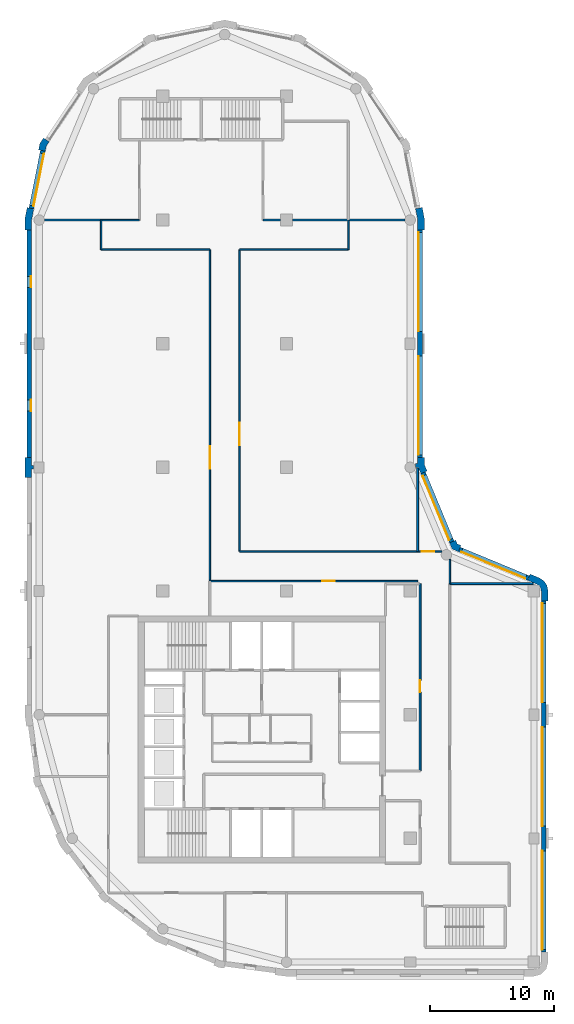
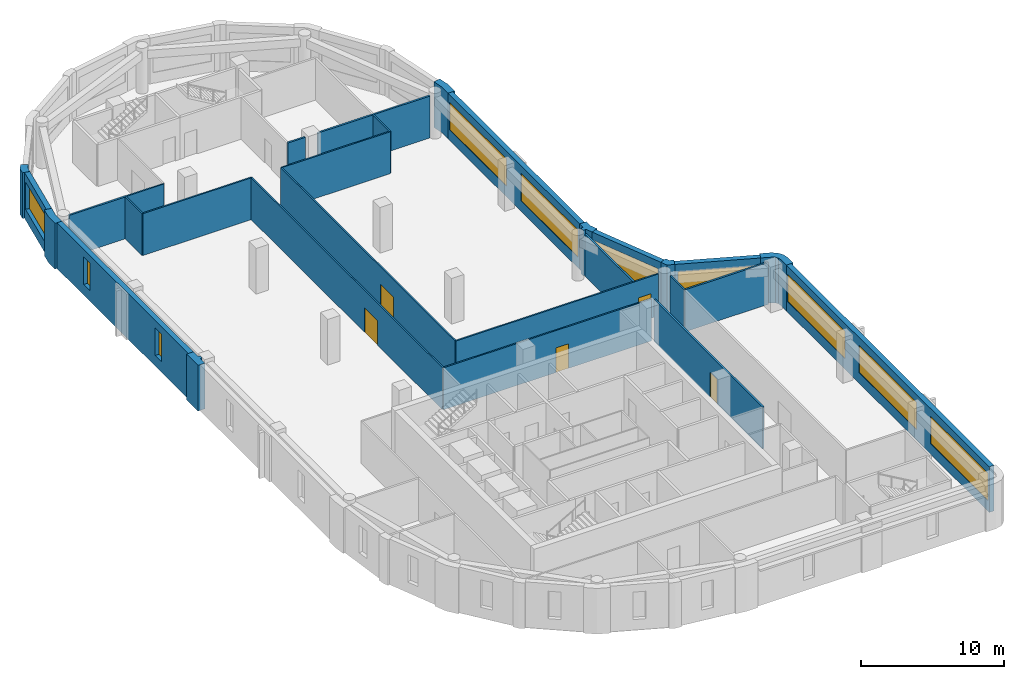
# One storey, part 4 of 8: 29 walls, 10 windows, 5 doors, 15 openings.
"""IFC4 building model written with IfcOpenShell, lengths in metres."""

from ifc_helpers import new_model, si_unit, direction, frame, frame_2d, origin, place, context, subcontext, project, spatial, polyline, rectangle, outline, extrude, material, layer, layer_set, type_object, element, fill, save


model = new_model("IFC4")

# Units and contexts
model_context = context("Model", 3, precision=1e-05, world=origin(), true_north=direction((0.0, 1.0)))
body_context = subcontext(model_context, "Body", "Model", "MODEL_VIEW")
ifc_project = project(units=[si_unit("LENGTHUNIT", "METRE"), si_unit("AREAUNIT", "SQUARE_METRE"), si_unit("VOLUMEUNIT", "CUBIC_METRE"), si_unit("PLANEANGLEUNIT", "RADIAN"), si_unit("MASSUNIT", "GRAM", prefix="KILO")], contexts=[model_context])

# Site, building, storey
site_placement = place(None, origin())
site = spatial("IfcSite", under=ifc_project, at=site_placement, CompositionType="ELEMENT")
building_placement = place(site_placement, origin())
building = spatial("IfcBuilding", under=site, at=building_placement, Name="Qaws Garden Tower", CompositionType="ELEMENT")
storey_placement = place(building_placement, frame((0.0, 0.0, 286.5)))
storey = spatial("IfcBuildingStorey", under=building, at=storey_placement, Name="L69", CompositionType="ELEMENT", Elevation=286.5)

# Wall
ifc_material_1 = material(Name="Clay facing brick masonry", Category="masonry")
ifc_layer_1 = layer(ifc_material_1, 0.550048828125)
ifc_layer_set_1 = layer_set([ifc_layer_1], Name="Clay facing brick masonry")
wall_type_1 = type_object("IfcWallType", Name="Brick corner pier 550 x 2400", PredefinedType="SOLIDWALL", material=ifc_layer_set_1)
placement = place(storey_placement, origin())
element("IfcWall", 1, at=placement, inside=storey, type_object=wall_type_1, Name="E-L69-pier-05", PredefinedType="SOLIDWALL", context=body_context, shape_type="SweptSolid", body=[
    extrude(outline(polyline([(41.0, 29.199951171875), (41.14990234375, 29.199951171875), (41.14990234375, 30.0), (41.0625, 30.440185546875), (40.813232421875, 30.813232421875), (40.440185546875, 31.0625), (39.700927734375, 31.36865234375), (39.6435546875, 31.22998046875), (39.490478515625, 30.860595703125), (40.2294921875, 30.554443359375), (40.42431640625, 30.42431640625), (40.554443359375, 30.2294921875), (40.60009765625, 30.0), (40.60009765625, 29.199951171875), (41.0, 29.199951171875)])), origin(), (0.0, 0.0, 1.0), 3.89990234375),
])

# Wall, openings, windows
ifc_material_2 = material(Name="Clay facing brick masonry", Category="masonry")
ifc_layer_2 = layer(ifc_material_2, 0.39990234375)
ifc_layer_set_2 = layer_set([ifc_layer_2], Name="Clay facing brick masonry")
wall_type_2 = type_object("IfcWallType", Name="Brick infill wall 400", PredefinedType="SOLIDWALL", material=ifc_layer_set_2)
wall_2_placement = place(storey_placement, frame((40.800048828125, 0.800048828125, 0.0), z_axis=(0.0, 0.0, 1.0), x_axis=(0.0, 1.0, 0.0)))
wall_2 = element("IfcWall", 2, at=wall_2_placement, inside=storey, type_object=wall_type_2, Name="E-L69-infill-02", PredefinedType="SOLIDWALL", context=body_context, shape_type="SweptSolid", body=[
    extrude(rectangle(XDim=28.39990234375, YDim=0.39990234375, at=frame_2d((14.199951171875, 0.0))), origin(), (0.0, 0.0, 1.0), 3.89990234375),
])
opening_1_placement = place(wall_2_placement, frame((0.199951171875, 0.0, 0.89990234375)))
opening_1 = element("IfcOpeningElement", 3, at=opening_1_placement, cuts=wall_2, Name="Opening W01", PredefinedType="OPENING", context=body_context, shape_type="SweptSolid", body=[
    extrude(rectangle(XDim=8.0, YDim=2.35009765625, at=frame_2d((4.0, 1.175048828125))), frame((0.0, 0.2099609375, 0.0), z_axis=(0.0, -1.0, 0.0), x_axis=(1.0, 0.0, 0.0)), (0.0, 0.0, 1.0), 0.419921875),
])
opening_2_placement = place(wall_2_placement, frame((10.199951171875, 0.0, 0.89990234375)))
opening_2 = element("IfcOpeningElement", 4, at=opening_2_placement, cuts=wall_2, Name="Opening W01", PredefinedType="OPENING", context=body_context, shape_type="SweptSolid", body=[
    extrude(rectangle(XDim=8.0, YDim=2.35009765625, at=frame_2d((4.0, 1.175048828125))), frame((0.0, 0.2099609375, 0.0), z_axis=(0.0, -1.0, 0.0), x_axis=(1.0, 0.0, 0.0)), (0.0, 0.0, 1.0), 0.419921875),
])
opening_3_placement = place(wall_2_placement, frame((20.199951171875, 0.0, 0.89990234375)))
opening_3 = element("IfcOpeningElement", 5, at=opening_3_placement, cuts=wall_2, Name="Opening W01", PredefinedType="OPENING", context=body_context, shape_type="SweptSolid", body=[
    extrude(rectangle(XDim=8.0, YDim=2.35009765625, at=frame_2d((4.0, 1.175048828125))), frame((0.0, 0.2099609375, 0.0), z_axis=(0.0, -1.0, 0.0), x_axis=(1.0, 0.0, 0.0)), (0.0, 0.0, 1.0), 0.419921875),
])
ifc_material_3 = material(Name="Aluminium framed window, clear glazing", Category="aluminium")
window_type_1 = type_object("IfcWindowType", Name="Ribbon window 8000 x 2350", PartitioningType="DOUBLE_PANEL_VERTICAL", PredefinedType="WINDOW", material=ifc_material_3)
window_1_placement = place(opening_1_placement, origin())
window_1 = element("IfcWindow", 6, at=window_1_placement, inside=storey, type_object=window_type_1, Name="E-L69-window-02-0", OverallHeight=2.35009765625, OverallWidth=8.0, PartitioningType="SINGLE_PANEL", PredefinedType="WINDOW", context=body_context, shape_type="SweptSolid", body=[
    extrude(rectangle(XDim=8.0, YDim=2.35009765625, at=frame_2d((4.0, 1.175048828125))), frame((0.0, 0.159912109375, 0.0), z_axis=(0.0, -1.0, 0.0), x_axis=(1.0, 0.0, 0.0)), (0.0, 0.0, 1.0), 0.06005859375),
])
fill(opening_1, window_1)
window_2_placement = place(opening_2_placement, origin())
window_2 = element("IfcWindow", 7, at=window_2_placement, inside=storey, type_object=window_type_1, Name="E-L69-window-03-0", OverallHeight=2.35009765625, OverallWidth=8.0, PartitioningType="SINGLE_PANEL", PredefinedType="WINDOW", context=body_context, shape_type="SweptSolid", body=[
    extrude(rectangle(XDim=8.0, YDim=2.35009765625, at=frame_2d((4.0, 1.175048828125))), frame((0.0, 0.159912109375, 0.0), z_axis=(0.0, -1.0, 0.0), x_axis=(1.0, 0.0, 0.0)), (0.0, 0.0, 1.0), 0.06005859375),
])
fill(opening_2, window_2)
window_3_placement = place(opening_3_placement, origin())
window_3 = element("IfcWindow", 8, at=window_3_placement, inside=storey, type_object=window_type_1, Name="E-L69-window-04-0", OverallHeight=2.35009765625, OverallWidth=8.0, PartitioningType="SINGLE_PANEL", PredefinedType="WINDOW", context=body_context, shape_type="SweptSolid", body=[
    extrude(rectangle(XDim=8.0, YDim=2.35009765625, at=frame_2d((4.0, 1.175048828125))), frame((0.0, 0.159912109375, 0.0), z_axis=(0.0, -1.0, 0.0), x_axis=(1.0, 0.0, 0.0)), (0.0, 0.0, 1.0), 0.06005859375),
])
fill(opening_3, window_3)

# Wall, opening, window
wall_3_placement = place(storey_placement, frame((39.56689453125, 31.04541015625, 0.0), z_axis=(0.0, 0.0, 1.0), x_axis=(-0.923891000409, 0.382655745237, 0.0)))
wall_3 = element("IfcWall", 9, at=wall_3_placement, inside=storey, type_object=wall_type_2, Name="E-L69-infill-05", PredefinedType="SOLIDWALL", context=body_context, shape_type="SweptSolid", body=[
    extrude(rectangle(XDim=6.053466796875, YDim=0.39990234375, at=frame_2d((3.02685546875, 0.0))), origin(), (0.0, 0.0, 1.0), 3.89990234375),
])
opening_4_placement = place(wall_3_placement, frame((0.226806640625, 0.0, 0.89990234375)))
opening_4 = element("IfcOpeningElement", 10, at=opening_4_placement, cuts=wall_3, Name="Opening W04", PredefinedType="OPENING", context=body_context, shape_type="SweptSolid", body=[
    extrude(rectangle(XDim=5.60009765625, YDim=2.35009765625, at=frame_2d((2.800048828125, 1.175048828125))), frame((0.0, 0.2099609375, 0.0), z_axis=(0.0, -1.0, 0.0), x_axis=(1.0, 0.0, 0.0)), (0.0, 0.0, 1.0), 0.419921875),
])
ifc_material_4 = material(Name="Aluminium framed window, clear glazing", Category="aluminium")
window_type_2 = type_object("IfcWindowType", Name="Ribbon window 5600 x 2350", PartitioningType="DOUBLE_PANEL_VERTICAL", PredefinedType="WINDOW", material=ifc_material_4)
window_4_placement = place(opening_4_placement, origin())
window_4 = element("IfcWindow", 11, at=window_4_placement, inside=storey, type_object=window_type_2, Name="E-L69-window-05-0", OverallHeight=2.35009765625, OverallWidth=5.60009765625, PartitioningType="SINGLE_PANEL", PredefinedType="WINDOW", context=body_context, shape_type="SweptSolid", body=[
    extrude(rectangle(XDim=5.60009765625, YDim=2.35009765625, at=frame_2d((2.800048828125, 1.175048828125))), frame((0.0, 0.159912109375, 0.0), z_axis=(0.0, -1.0, 0.0), x_axis=(1.0, 0.0, 0.0)), (0.0, 0.0, 1.0), 0.06005859375),
])
fill(opening_4, window_4)

wall_4_placement = place(storey_placement, frame((33.36181640625, 33.97412109375, 0.0), z_axis=(0.0, 0.0, 1.0), x_axis=(-0.382655745237, 0.923891000409, 0.0)))
wall_4 = element("IfcWall", 12, at=wall_4_placement, inside=storey, type_object=wall_type_2, Name="E-L69-infill-06", PredefinedType="SOLIDWALL", context=body_context, shape_type="SweptSolid", body=[
    extrude(rectangle(XDim=6.053466796875, YDim=0.39990234375, at=frame_2d((3.02685546875, 0.0))), origin(), (0.0, 0.0, 1.0), 3.89990234375),
])
opening_5_placement = place(wall_4_placement, frame((0.226806640625, 0.0, 0.89990234375)))
opening_5 = element("IfcOpeningElement", 13, at=opening_5_placement, cuts=wall_4, Name="Opening W04", PredefinedType="OPENING", context=body_context, shape_type="SweptSolid", body=[
    extrude(rectangle(XDim=5.60009765625, YDim=2.35009765625, at=frame_2d((2.800048828125, 1.175048828125))), frame((0.0, 0.2099609375, 0.0), z_axis=(0.0, -1.0, 0.0), x_axis=(1.0, 0.0, 0.0)), (0.0, 0.0, 1.0), 0.419921875),
])
window_5_placement = place(opening_5_placement, origin())
window_5 = element("IfcWindow", 14, at=window_5_placement, inside=storey, type_object=window_type_2, Name="E-L69-window-06-0", OverallHeight=2.35009765625, OverallWidth=5.60009765625, PartitioningType="SINGLE_PANEL", PredefinedType="WINDOW", context=body_context, shape_type="SweptSolid", body=[
    extrude(rectangle(XDim=5.60009765625, YDim=2.35009765625, at=frame_2d((2.800048828125, 1.175048828125))), frame((0.0, 0.159912109375, 0.0), z_axis=(0.0, -1.0, 0.0), x_axis=(1.0, 0.0, 0.0)), (0.0, 0.0, 1.0), 0.06005859375),
])
fill(opening_5, window_5)

# Wall, openings, windows
wall_5_placement = place(storey_placement, frame((30.800048828125, 40.800048828125, 0.0), z_axis=(0.0, 0.0, 1.0), x_axis=(0.0, 1.0, 0.0)))
wall_5 = element("IfcWall", 15, at=wall_5_placement, inside=storey, type_object=wall_type_2, Name="E-L69-infill-07", PredefinedType="SOLIDWALL", context=body_context, shape_type="SweptSolid", body=[
    extrude(rectangle(XDim=18.39990234375, YDim=0.39990234375, at=frame_2d((9.199951171875, 0.0))), origin(), (0.0, 0.0, 1.0), 3.89990234375),
])
opening_6_placement = place(wall_5_placement, frame((0.199951171875, 0.0, 0.89990234375)))
opening_6 = element("IfcOpeningElement", 16, at=opening_6_placement, cuts=wall_5, Name="Opening W01", PredefinedType="OPENING", context=body_context, shape_type="SweptSolid", body=[
    extrude(rectangle(XDim=8.0, YDim=2.35009765625, at=frame_2d((4.0, 1.175048828125))), frame((0.0, 0.2099609375, 0.0), z_axis=(0.0, -1.0, 0.0), x_axis=(1.0, 0.0, 0.0)), (0.0, 0.0, 1.0), 0.419921875),
])
opening_7_placement = place(wall_5_placement, frame((10.199951171875, 0.0, 0.89990234375)))
opening_7 = element("IfcOpeningElement", 17, at=opening_7_placement, cuts=wall_5, Name="Opening W01", PredefinedType="OPENING", context=body_context, shape_type="SweptSolid", body=[
    extrude(rectangle(XDim=8.0, YDim=2.35009765625, at=frame_2d((4.0, 1.175048828125))), frame((0.0, 0.2099609375, 0.0), z_axis=(0.0, -1.0, 0.0), x_axis=(1.0, 0.0, 0.0)), (0.0, 0.0, 1.0), 0.419921875),
])
window_6_placement = place(opening_6_placement, origin())
window_6 = element("IfcWindow", 18, at=window_6_placement, inside=storey, type_object=window_type_1, Name="E-L69-window-07-0", OverallHeight=2.35009765625, OverallWidth=8.0, PartitioningType="SINGLE_PANEL", PredefinedType="WINDOW", context=body_context, shape_type="SweptSolid", body=[
    extrude(rectangle(XDim=8.0, YDim=2.35009765625, at=frame_2d((4.0, 1.175048828125))), frame((0.0, 0.159912109375, 0.0), z_axis=(0.0, -1.0, 0.0), x_axis=(1.0, 0.0, 0.0)), (0.0, 0.0, 1.0), 0.06005859375),
])
fill(opening_6, window_6)
window_7_placement = place(opening_7_placement, origin())
window_7 = element("IfcWindow", 19, at=window_7_placement, inside=storey, type_object=window_type_1, Name="E-L69-window-08-0", OverallHeight=2.35009765625, OverallWidth=8.0, PartitioningType="SINGLE_PANEL", PredefinedType="WINDOW", context=body_context, shape_type="SweptSolid", body=[
    extrude(rectangle(XDim=8.0, YDim=2.35009765625, at=frame_2d((4.0, 1.175048828125))), frame((0.0, 0.159912109375, 0.0), z_axis=(0.0, -1.0, 0.0), x_axis=(1.0, 0.0, 0.0)), (0.0, 0.0, 1.0), 0.06005859375),
])
fill(opening_7, window_7)

# Wall, opening, window
wall_6_placement = place(storey_placement, frame((0.298583984375, 65.60205078125, 0.0), z_axis=(0.0, 0.0, 1.0), x_axis=(-0.195098533057, -0.98078364709, 0.0)))
wall_6 = element("IfcWall", 20, at=wall_6_placement, inside=storey, type_object=wall_type_2, Name="E-L69-infill-16", PredefinedType="SOLIDWALL", context=body_context, shape_type="SweptSolid", body=[
    extrude(rectangle(XDim=4.752685546875, YDim=0.39990234375, at=frame_2d((2.37646484375, 0.0))), origin(), (0.0, 0.0, 1.0), 3.89990234375),
])
opening_8_placement = place(wall_6_placement, frame((0.226318359375, 0.0, 0.89990234375)))
opening_8 = element("IfcOpeningElement", 21, at=opening_8_placement, cuts=wall_6, Name="Opening W06", PredefinedType="OPENING", context=body_context, shape_type="SweptSolid", body=[
    extrude(rectangle(XDim=4.300048828125, YDim=2.35009765625, at=frame_2d((2.14990234375, 1.175048828125))), frame((0.0, 0.2099609375, 0.0), z_axis=(0.0, -1.0, 0.0), x_axis=(1.0, 0.0, 0.0)), (0.0, 0.0, 1.0), 0.419921875),
])
ifc_material_5 = material(Name="Aluminium framed window, clear glazing", Category="aluminium")
window_type_3 = type_object("IfcWindowType", Name="Ribbon window 4300 x 2350", PartitioningType="DOUBLE_PANEL_VERTICAL", PredefinedType="WINDOW", material=ifc_material_5)
window_8_placement = place(opening_8_placement, origin())
window_8 = element("IfcWindow", 22, at=window_8_placement, inside=storey, type_object=window_type_3, Name="E-L69-window-16-0", OverallHeight=2.35009765625, OverallWidth=4.300048828125, PartitioningType="SINGLE_PANEL", PredefinedType="WINDOW", context=body_context, shape_type="SweptSolid", body=[
    extrude(rectangle(XDim=4.300048828125, YDim=2.35009765625, at=frame_2d((2.14990234375, 1.175048828125))), frame((0.0, 0.159912109375, 0.0), z_axis=(0.0, -1.0, 0.0), x_axis=(1.0, 0.0, 0.0)), (0.0, 0.0, 1.0), 0.06005859375),
])
fill(opening_8, window_8)

# Wall, openings, windows
wall_7_placement = place(storey_placement, frame((-0.800048828125, 59.199951171875, 0.0), z_axis=(0.0, 0.0, 1.0), x_axis=(0.0, -1.0, 0.0)))
wall_7 = element("IfcWall", 23, at=wall_7_placement, inside=storey, type_object=wall_type_2, Name="E-L69-infill-17", PredefinedType="SOLIDWALL", context=body_context, shape_type="SweptSolid", body=[
    extrude(rectangle(XDim=18.39990234375, YDim=0.39990234375, at=frame_2d((9.199951171875, 0.0))), origin(), (0.0, 0.0, 1.0), 3.89990234375),
])
opening_9_placement = place(wall_7_placement, frame((3.75, 0.0, 0.89990234375)))
opening_9 = element("IfcOpeningElement", 24, at=opening_9_placement, cuts=wall_7, Name="Opening W09", PredefinedType="OPENING", context=body_context, shape_type="SweptSolid", body=[
    extrude(rectangle(XDim=0.89990234375, YDim=2.35009765625, at=frame_2d((0.449951171875, 1.175048828125))), frame((0.0, 0.2099609375, 0.0), z_axis=(0.0, -1.0, 0.0), x_axis=(1.0, 0.0, 0.0)), (0.0, 0.0, 1.0), 0.419921875),
])
opening_10_placement = place(wall_7_placement, frame((13.75, 0.0, 0.89990234375)))
opening_10 = element("IfcOpeningElement", 25, at=opening_10_placement, cuts=wall_7, Name="Opening W09", PredefinedType="OPENING", context=body_context, shape_type="SweptSolid", body=[
    extrude(rectangle(XDim=0.89990234375, YDim=2.35009765625, at=frame_2d((0.449951171875, 1.175048828125))), frame((0.0, 0.2099609375, 0.0), z_axis=(0.0, -1.0, 0.0), x_axis=(1.0, 0.0, 0.0)), (0.0, 0.0, 1.0), 0.419921875),
])
ifc_material_6 = material(Name="Aluminium framed window, clear glazing", Category="aluminium")
window_type_4 = type_object("IfcWindowType", Name="Slit window 900 x 2350", PartitioningType="SINGLE_PANEL", PredefinedType="WINDOW", material=ifc_material_6)
window_9_placement = place(opening_9_placement, origin())
window_9 = element("IfcWindow", 26, at=window_9_placement, inside=storey, type_object=window_type_4, Name="E-L69-window-17-0", OverallHeight=2.35009765625, OverallWidth=0.89990234375, PartitioningType="SINGLE_PANEL", PredefinedType="WINDOW", context=body_context, shape_type="SweptSolid", body=[
    extrude(rectangle(XDim=0.89990234375, YDim=2.35009765625, at=frame_2d((0.449951171875, 1.175048828125))), frame((0.0, 0.159912109375, 0.0), z_axis=(0.0, -1.0, 0.0), x_axis=(1.0, 0.0, 0.0)), (0.0, 0.0, 1.0), 0.06005859375),
])
fill(opening_9, window_9)
window_10_placement = place(opening_10_placement, origin())
window_10 = element("IfcWindow", 27, at=window_10_placement, inside=storey, type_object=window_type_4, Name="E-L69-window-18-0", OverallHeight=2.35009765625, OverallWidth=0.89990234375, PartitioningType="SINGLE_PANEL", PredefinedType="WINDOW", context=body_context, shape_type="SweptSolid", body=[
    extrude(rectangle(XDim=0.89990234375, YDim=2.35009765625, at=frame_2d((0.449951171875, 1.175048828125))), frame((0.0, 0.159912109375, 0.0), z_axis=(0.0, -1.0, 0.0), x_axis=(1.0, 0.0, 0.0)), (0.0, 0.0, 1.0), 0.06005859375),
])
fill(opening_10, window_10)

# Walls
ifc_material_7 = material(Name="Clay facing brick masonry", Category="masonry")
ifc_layer_3 = layer(ifc_material_7, 0.550048828125)
ifc_layer_set_3 = layer_set([ifc_layer_3], Name="Clay facing brick masonry")
wall_type_3 = type_object("IfcWallType", Name="Brick kink pier 550 x 600", PredefinedType="SOLIDWALL", material=ifc_layer_set_3)
element("IfcWall", 28, at=placement, inside=storey, type_object=wall_type_3, Name="E-L69-pier-16", PredefinedType="SOLIDWALL", context=body_context, shape_type="SweptSolid", body=[
    extrude(outline(polyline([(0.47705078125, 66.545166015625), (0.352294921875, 66.628662109375), (0.05859375, 66.18896484375), (-0.044677734375, 65.67041015625), (0.1025390625, 65.64111328125), (0.494873046875, 65.56298828125), (0.57666015625, 65.974365234375), (0.8095703125, 66.322998046875), (0.47705078125, 66.545166015625)])), origin(), (0.0, 0.0, 1.0), 3.89990234375),
])
ifc_material_8 = material(Name="Clay facing brick masonry", Category="masonry")
ifc_layer_4 = layer(ifc_material_8, 0.550048828125)
ifc_layer_set_4 = layer_set([ifc_layer_4], Name="Clay facing brick masonry")
wall_type_4 = type_object("IfcWallType", Name="Brick pier 550 x 1600", PredefinedType="SOLIDWALL", material=ifc_layer_set_4)
element("IfcWall", 29, at=placement, inside=storey, type_object=wall_type_4, Name="E-L69-pier-06", PredefinedType="SOLIDWALL", context=body_context, shape_type="SweptSolid", body=[
    extrude(outline(polyline([(34.05078125, 33.546630859375), (34.108154296875, 33.685302734375), (33.80908203125, 33.80908203125), (33.685302734375, 34.108154296875), (33.546630859375, 34.05078125), (33.177001953125, 33.897705078125), (33.38818359375, 33.38818359375), (33.897705078125, 33.177001953125), (34.05078125, 33.546630859375)])), origin(), (0.0, 0.0, 1.0), 3.89990234375),
])
element("IfcWall", 30, at=placement, inside=storey, type_object=wall_type_4, Name="E-L69-pier-07", PredefinedType="SOLIDWALL", context=body_context, shape_type="SweptSolid", body=[
    extrude(outline(polyline([(30.6201171875, 39.995361328125), (30.6201171875, 40.071044921875), (30.860595703125, 39.490478515625), (31.22998046875, 39.6435546875), (31.36865234375, 39.700927734375), (31.14990234375, 40.228759765625), (31.14990234375, 40.800048828125), (31.0, 40.800048828125), (30.60009765625, 40.800048828125), (30.60009765625, 40.29541015625), (30.425048828125, 40.29541015625), (30.425048828125, 39.995361328125), (30.6201171875, 39.995361328125)])), origin(), (0.0, 0.0, 1.0), 3.89990234375),
])
element("IfcWall", 31, at=placement, inside=storey, type_object=wall_type_4, Name="E-L69-pier-09", PredefinedType="SOLIDWALL", context=body_context, shape_type="SweptSolid", body=[
    extrude(outline(polyline([(31.0, 59.199951171875), (31.14990234375, 59.199951171875), (31.14990234375, 60.11328125), (30.971923828125, 61.009033203125), (30.82470703125, 60.979736328125), (30.432373046875, 60.901611328125), (30.60009765625, 60.05908203125), (30.60009765625, 59.199951171875), (31.0, 59.199951171875)])), origin(), (0.0, 0.0, 1.0), 3.89990234375),
])
element("IfcWall", 32, at=placement, inside=storey, type_object=wall_type_4, Name="E-L69-pier-17", PredefinedType="SOLIDWALL", context=body_context, shape_type="SweptSolid", body=[
    extrude(outline(polyline([(-0.82470703125, 60.979736328125), (-0.971923828125, 61.009033203125), (-1.14990234375, 60.11328125), (-1.14990234375, 59.199951171875), (-1.0, 59.199951171875), (-0.60009765625, 59.199951171875), (-0.60009765625, 60.05908203125), (-0.432373046875, 60.901611328125), (-0.82470703125, 60.979736328125)])), origin(), (0.0, 0.0, 1.0), 3.89990234375),
])
element("IfcWall", 33, at=placement, inside=storey, type_object=wall_type_4, Name="E-L69-pier-19", PredefinedType="SOLIDWALL", context=body_context, shape_type="SweptSolid", body=[
    extrude(outline(polyline([(-0.60009765625, 39.199951171875), (-0.60009765625, 39.85009765625), (-0.449951171875, 39.85009765625), (-0.449951171875, 40.14990234375), (-0.60009765625, 40.14990234375), (-0.60009765625, 40.800048828125), (-1.0, 40.800048828125), (-1.14990234375, 40.800048828125), (-1.14990234375, 40.0), (-1.14990234375, 39.199951171875), (-1.0, 39.199951171875), (-0.60009765625, 39.199951171875)])), origin(), (0.0, 0.0, 1.0), 3.89990234375),
])
ifc_material_9 = material(Name="Glass and aluminium framing", Category="aluminium")
ifc_layer_5 = layer(ifc_material_9, 0.1201171875)
ifc_layer_set_5 = layer_set([ifc_layer_5], Name="Glass and aluminium framing")
wall_type_5 = type_object("IfcWallType", Name="GLAZED PARTITION 120 EI 30", PredefinedType="PARTITIONING", material=ifc_layer_set_5)
wall_14_placement = place(storey_placement, frame((5.0, 57.60009765625, 0.0), z_axis=(0.0, 0.0, 1.0), x_axis=(0.0, 1.0, 0.0)))
element("IfcWall", 34, at=wall_14_placement, inside=storey, type_object=wall_type_5, Name="O-L69-wall-027", PredefinedType="PARTITIONING", context=body_context, shape_type="SweptSolid", body=[
    extrude(rectangle(XDim=2.39990234375, YDim=0.1201171875, at=frame_2d((1.199951171875, 0.0))), origin(), (0.0, 0.0, 1.0), 3.580078125),
])

# Wall, opening, door
wall_15_placement = place(storey_placement, frame((13.800048828125, 30.800048828125, 0.0), z_axis=(0.0, 0.0, 1.0), x_axis=(0.0, 1.0, 0.0)))
wall_15 = element("IfcWall", 35, at=wall_15_placement, inside=storey, type_object=wall_type_5, Name="O-L69-wall-030", PredefinedType="PARTITIONING", context=body_context, shape_type="SweptSolid", body=[
    extrude(rectangle(XDim=26.800048828125, YDim=0.1201171875, at=frame_2d((13.39990234375, 0.0))), origin(), (0.0, 0.0, 1.0), 3.580078125),
])
opening_11_placement = place(wall_15_placement, frame((9.10009765625, 0.0, 0.0)))
opening_11 = element("IfcOpeningElement", 36, at=opening_11_placement, cuts=wall_15, Name="Opening C4B11", PredefinedType="OPENING", context=body_context, shape_type="SweptSolid", body=[
    extrude(rectangle(XDim=1.800048828125, YDim=2.10009765625, at=frame_2d((0.89990234375, 1.050048828125))), frame((0.0, 0.070068359375, 0.0), z_axis=(0.0, -1.0, 0.0), x_axis=(1.0, 0.0, 0.0)), (0.0, 0.0, 1.0), 0.14013671875),
])
ifc_material_10 = material(Name="Timber door leaf", Category="wood")
door_type_1 = type_object("IfcDoorType", Name="DOUBLE DOOR 1800 X 2100", OperationType="DOUBLE_DOOR_SINGLE_SWING", PredefinedType="DOOR", material=ifc_material_10)
door_1_placement = place(opening_11_placement, origin())
door_1 = element("IfcDoor", 37, at=door_1_placement, inside=storey, type_object=door_type_1, Name="O-L69-door-011", OperationType="DOUBLE_DOOR_SINGLE_SWING", OverallHeight=2.10009765625, OverallWidth=1.800048828125, PredefinedType="DOOR", context=body_context, shape_type="SweptSolid", body=[
    extrude(rectangle(XDim=1.800048828125, YDim=2.10009765625, at=frame_2d((0.89990234375, 1.050048828125))), frame((0.0, 0.02490234375, 0.0), z_axis=(0.0, -1.0, 0.0), x_axis=(1.0, 0.0, 0.0)), (0.0, 0.0, 1.0), 0.050048828125),
])
fill(opening_11, door_1)

wall_16_placement = place(storey_placement, frame((16.199951171875, 33.199951171875, 0.0), z_axis=(0.0, 0.0, 1.0), x_axis=(0.0, 1.0, 0.0)))
wall_16 = element("IfcWall", 38, at=wall_16_placement, inside=storey, type_object=wall_type_5, Name="O-L69-wall-031", PredefinedType="PARTITIONING", context=body_context, shape_type="SweptSolid", body=[
    extrude(rectangle(XDim=24.400146484375, YDim=0.1201171875, at=frame_2d((12.2001953125, 0.0))), origin(), (0.0, 0.0, 1.0), 3.580078125),
])
opening_12_placement = place(wall_16_placement, frame((8.60009765625, 0.0, 0.0)))
opening_12 = element("IfcOpeningElement", 39, at=opening_12_placement, cuts=wall_16, Name="Opening C4B12", PredefinedType="OPENING", context=body_context, shape_type="SweptSolid", body=[
    extrude(rectangle(XDim=1.800048828125, YDim=2.10009765625, at=frame_2d((0.89990234375, 1.050048828125))), frame((0.0, 0.070068359375, 0.0), z_axis=(0.0, -1.0, 0.0), x_axis=(1.0, 0.0, 0.0)), (0.0, 0.0, 1.0), 0.14013671875),
])
door_2_placement = place(opening_12_placement, frame((1.800048828125, 0.0, 0.0), z_axis=(0.0, 0.0, 1.0), x_axis=(-1.0, 0.0, 0.0)))
door_2 = element("IfcDoor", 40, at=door_2_placement, inside=storey, type_object=door_type_1, Name="O-L69-door-012", OperationType="DOUBLE_DOOR_SINGLE_SWING", OverallHeight=2.10009765625, OverallWidth=1.800048828125, PredefinedType="DOOR", context=body_context, shape_type="SweptSolid", body=[
    extrude(rectangle(XDim=1.800048828125, YDim=2.10009765625, at=frame_2d((0.89990234375, 1.050048828125))), frame((0.0, 0.02490234375, 0.0), z_axis=(0.0, -1.0, 0.0), x_axis=(1.0, 0.0, 0.0)), (0.0, 0.0, 1.0), 0.050048828125),
])
fill(opening_12, door_2)

# Walls
wall_17_placement = place(storey_placement, frame((25.0, 57.60009765625, 0.0), z_axis=(0.0, 0.0, 1.0), x_axis=(0.0, 1.0, 0.0)))
element("IfcWall", 41, at=wall_17_placement, inside=storey, type_object=wall_type_5, Name="O-L69-wall-032", PredefinedType="PARTITIONING", context=body_context, shape_type="SweptSolid", body=[
    extrude(rectangle(XDim=2.39990234375, YDim=0.1201171875, at=frame_2d((1.199951171875, 0.0))), origin(), (0.0, 0.0, 1.0), 3.580078125),
])
wall_18_placement = place(storey_placement, frame((33.199951171875, 30.60009765625, 0.0), z_axis=(0.0, 0.0, 1.0), x_axis=(0.0, 1.0, 0.0)))
element("IfcWall", 42, at=wall_18_placement, inside=storey, type_object=wall_type_5, Name="O-L69-wall-033", PredefinedType="PARTITIONING", context=body_context, shape_type="SweptSolid", body=[
    extrude(rectangle(XDim=1.9599609375, YDim=0.1201171875, at=frame_2d((0.97998046875, 0.0))), origin(), (0.0, 0.0, 1.0), 3.580078125),
])

# Wall, opening, door
wall_19_placement = place(storey_placement, frame((13.802001953125, 30.800048828125, 0.0), z_axis=(0.0, 0.0, 1.0), x_axis=(1.0, 0.0, 0.0)))
wall_19 = element("IfcWall", 43, at=wall_19_placement, inside=storey, type_object=wall_type_5, Name="O-L69-wall-036", PredefinedType="PARTITIONING", context=body_context, shape_type="SweptSolid", body=[
    extrude(rectangle(XDim=16.798095703125, YDim=0.1201171875, at=frame_2d((8.39892578125, 0.0))), origin(), (0.0, 0.0, 1.0), 3.580078125),
])
opening_13_placement = place(wall_19_placement, frame((9.10009765625, 0.0, 0.0)))
opening_13 = element("IfcOpeningElement", 44, at=opening_13_placement, cuts=wall_19, Name="Opening C4B05", PredefinedType="OPENING", context=body_context, shape_type="SweptSolid", body=[
    extrude(rectangle(XDim=1.0, YDim=2.10009765625, at=frame_2d((0.5, 1.050048828125))), frame((0.0, 0.070068359375, 0.0), z_axis=(0.0, -1.0, 0.0), x_axis=(1.0, 0.0, 0.0)), (0.0, 0.0, 1.0), 0.14013671875),
])
ifc_material_11 = material(Name="Timber door leaf", Category="wood")
door_type_2 = type_object("IfcDoorType", Name="TENANCY ENTRANCE DOOR 1000 X 2100", OperationType="SINGLE_SWING_LEFT", PredefinedType="DOOR", material=ifc_material_11)
door_3_placement = place(opening_13_placement, frame((1.0, 0.0, 0.0), z_axis=(0.0, 0.0, 1.0), x_axis=(-1.0, 0.0, 0.0)))
door_3 = element("IfcDoor", 45, at=door_3_placement, inside=storey, type_object=door_type_2, Name="O-L69-door-005", OperationType="SINGLE_SWING_LEFT", OverallHeight=2.10009765625, OverallWidth=1.0, PredefinedType="DOOR", context=body_context, shape_type="SweptSolid", body=[
    extrude(rectangle(XDim=1.0, YDim=2.10009765625, at=frame_2d((0.5, 1.050048828125))), frame((0.0, 0.02490234375, 0.0), z_axis=(0.0, -1.0, 0.0), x_axis=(1.0, 0.0, 0.0)), (0.0, 0.0, 1.0), 0.050048828125),
])
fill(opening_13, door_3)

wall_20_placement = place(storey_placement, frame((16.199951171875, 33.199951171875, 0.0), z_axis=(0.0, 0.0, 1.0), x_axis=(1.0, 0.0, 0.0)))
wall_20 = element("IfcWall", 46, at=wall_20_placement, inside=storey, type_object=wall_type_5, Name="O-L69-wall-037", PredefinedType="PARTITIONING", context=body_context, shape_type="SweptSolid", body=[
    extrude(rectangle(XDim=16.360107421875, YDim=0.1201171875, at=frame_2d((8.18017578125, 0.0))), origin(), (0.0, 0.0, 1.0), 3.580078125),
])
opening_14_placement = place(wall_20_placement, frame((14.75, 0.0, 0.0)))
opening_14 = element("IfcOpeningElement", 47, at=opening_14_placement, cuts=wall_20, Name="Opening C4B04", PredefinedType="OPENING", context=body_context, shape_type="SweptSolid", body=[
    extrude(rectangle(XDim=1.0, YDim=2.10009765625, at=frame_2d((0.5, 1.050048828125))), frame((0.0, 0.070068359375, 0.0), z_axis=(0.0, -1.0, 0.0), x_axis=(1.0, 0.0, 0.0)), (0.0, 0.0, 1.0), 0.14013671875),
])
door_4_placement = place(opening_14_placement, origin())
door_4 = element("IfcDoor", 48, at=door_4_placement, inside=storey, type_object=door_type_2, Name="O-L69-door-004", OperationType="SINGLE_SWING_LEFT", OverallHeight=2.10009765625, OverallWidth=1.0, PredefinedType="DOOR", context=body_context, shape_type="SweptSolid", body=[
    extrude(rectangle(XDim=1.0, YDim=2.10009765625, at=frame_2d((0.5, 1.050048828125))), frame((0.0, 0.02490234375, 0.0), z_axis=(0.0, -1.0, 0.0), x_axis=(1.0, 0.0, 0.0)), (0.0, 0.0, 1.0), 0.050048828125),
])
fill(opening_14, door_4)

# Walls
for number, where, z_axis, x_axis, name in (
    (49, (5.0, 57.60009765625, 0.0), (0.0, 0.0, 1.0), (1.0, 0.0, 0.0), "O-L69-wall-038"),
    (50, (16.199951171875, 57.60009765625, 0.0), (0.0, 0.0, 1.0), (1.0, 0.0, 0.0), "O-L69-wall-039"),
):
    element("IfcWall", number, at=place(storey_placement, frame(where, z_axis=z_axis, x_axis=x_axis)), inside=storey, type_object=wall_type_5, Name=name, PredefinedType="PARTITIONING", context=body_context, shape_type="SweptSolid", body=[
        extrude(rectangle(XDim=8.800048828125, YDim=0.1201171875, at=frame_2d((4.39990234375, 0.0))), origin(), (0.0, 0.0, 1.0), 3.580078125),
    ])
wall_21_placement = place(storey_placement, frame((5.0, 60.0, 0.0), z_axis=(0.0, 0.0, 1.0), x_axis=(1.0, 0.0, 0.0)))
element("IfcWall", 51, at=wall_21_placement, inside=storey, type_object=wall_type_5, Name="O-L69-wall-040", PredefinedType="PARTITIONING", context=body_context, shape_type="SweptSolid", body=[
    extrude(rectangle(XDim=3.10009765625, YDim=0.1201171875, at=frame_2d((1.550048828125, 0.0))), origin(), (0.0, 0.0, 1.0), 3.580078125),
])
ifc_material_12 = material(Name="Gypsum board partition")
ifc_layer_6 = layer(ifc_material_12, 0.14990234375)
ifc_layer_set_6 = layer_set([ifc_layer_6], Name="Gypsum board partition")
wall_type_6 = type_object("IfcWallType", Name="PARTITION 150 EI 60", PredefinedType="PARTITIONING", material=ifc_layer_set_6)
wall_22_placement = place(storey_placement, frame((30.60009765625, 33.199951171875, 0.0), z_axis=(0.0, 0.0, 1.0), x_axis=(0.0, 1.0, 0.0)))
element("IfcWall", 52, at=wall_22_placement, inside=storey, type_object=wall_type_6, Name="O-L69-wall-008", PredefinedType="PARTITIONING", context=body_context, shape_type="SweptSolid", body=[
    extrude(rectangle(XDim=6.73828125, YDim=0.14990234375, at=frame_2d((3.369140625, 0.0))), origin(), (0.0, 0.0, 1.0), 3.580078125),
])

# Wall, opening, door
wall_23_placement = place(storey_placement, frame((30.800048828125, 15.449951171875, 0.0), z_axis=(0.0, 0.0, 1.0), x_axis=(0.0, 1.0, 0.0)))
wall_23 = element("IfcWall", 53, at=wall_23_placement, inside=storey, type_object=wall_type_6, Name="O-L69-wall-010", PredefinedType="PARTITIONING", context=body_context, shape_type="SweptSolid", body=[
    extrude(rectangle(XDim=15.150146484375, YDim=0.14990234375, at=frame_2d((7.5751953125, 0.0))), origin(), (0.0, 0.0, 1.0), 3.580078125),
])
opening_15_placement = place(wall_23_placement, frame((6.35009765625, 0.0, 0.0)))
opening_15 = element("IfcOpeningElement", 54, at=opening_15_placement, cuts=wall_23, Name="Opening C4B09", PredefinedType="OPENING", context=body_context, shape_type="SweptSolid", body=[
    extrude(rectangle(XDim=1.0, YDim=2.10009765625, at=frame_2d((0.5, 1.050048828125))), frame((0.0, 0.0849609375, 0.0), z_axis=(0.0, -1.0, 0.0), x_axis=(1.0, 0.0, 0.0)), (0.0, 0.0, 1.0), 0.169921875),
])
door_5_placement = place(opening_15_placement, origin())
door_5 = element("IfcDoor", 55, at=door_5_placement, inside=storey, type_object=door_type_2, Name="O-L69-door-009", OperationType="SINGLE_SWING_RIGHT", OverallHeight=2.10009765625, OverallWidth=1.0, PredefinedType="DOOR", context=body_context, shape_type="SweptSolid", body=[
    extrude(rectangle(XDim=1.0, YDim=2.10009765625, at=frame_2d((0.5, 1.050048828125))), frame((0.0, 0.02490234375, 0.0), z_axis=(0.0, -1.0, 0.0), x_axis=(1.0, 0.0, 0.0)), (0.0, 0.0, 1.0), 0.050048828125),
])
fill(opening_15, door_5)

# Walls
wall_24_placement = place(storey_placement, frame((33.199951171875, 30.60009765625, 0.0), z_axis=(0.0, 0.0, 1.0), x_axis=(1.0, 0.0, 0.0)))
element("IfcWall", 56, at=wall_24_placement, inside=storey, type_object=wall_type_6, Name="O-L69-wall-022", PredefinedType="PARTITIONING", context=body_context, shape_type="SweptSolid", body=[
    extrude(rectangle(XDim=6.73828125, YDim=0.14990234375, at=frame_2d((3.369140625, 0.0))), origin(), (0.0, 0.0, 1.0), 3.580078125),
])
wall_25_placement = place(storey_placement, frame((0.425048828125, 60.0, 0.0), z_axis=(0.0, 0.0, 1.0), x_axis=(1.0, 0.0, 0.0)))
element("IfcWall", 57, at=wall_25_placement, inside=storey, type_object=wall_type_6, Name="O-L69-wall-023", PredefinedType="PARTITIONING", context=body_context, shape_type="SweptSolid", body=[
    extrude(rectangle(XDim=4.574951171875, YDim=0.14990234375, at=frame_2d((2.28759765625, 0.0))), origin(), (0.0, 0.0, 1.0), 3.580078125),
])
wall_26_placement = place(storey_placement, frame((18.10009765625, 60.0, 0.0), z_axis=(0.0, 0.0, 1.0), x_axis=(1.0, 0.0, 0.0)))
element("IfcWall", 58, at=wall_26_placement, inside=storey, type_object=wall_type_6, Name="O-L69-wall-024", PredefinedType="PARTITIONING", context=body_context, shape_type="SweptSolid", body=[
    extrude(rectangle(XDim=1.39990234375, YDim=0.14990234375, at=frame_2d((0.699951171875, 0.0))), origin(), (0.0, 0.0, 1.0), 3.580078125),
])
wall_27_placement = place(storey_placement, frame((20.5, 60.0, 0.0), z_axis=(0.0, 0.0, 1.0), x_axis=(1.0, 0.0, 0.0)))
element("IfcWall", 59, at=wall_27_placement, inside=storey, type_object=wall_type_6, Name="O-L69-wall-025", PredefinedType="PARTITIONING", context=body_context, shape_type="SweptSolid", body=[
    extrude(rectangle(XDim=9.074951171875, YDim=0.14990234375, at=frame_2d((4.53759765625, 0.0))), origin(), (0.0, 0.0, 1.0), 3.580078125),
])

save(model, "model.ifc")
